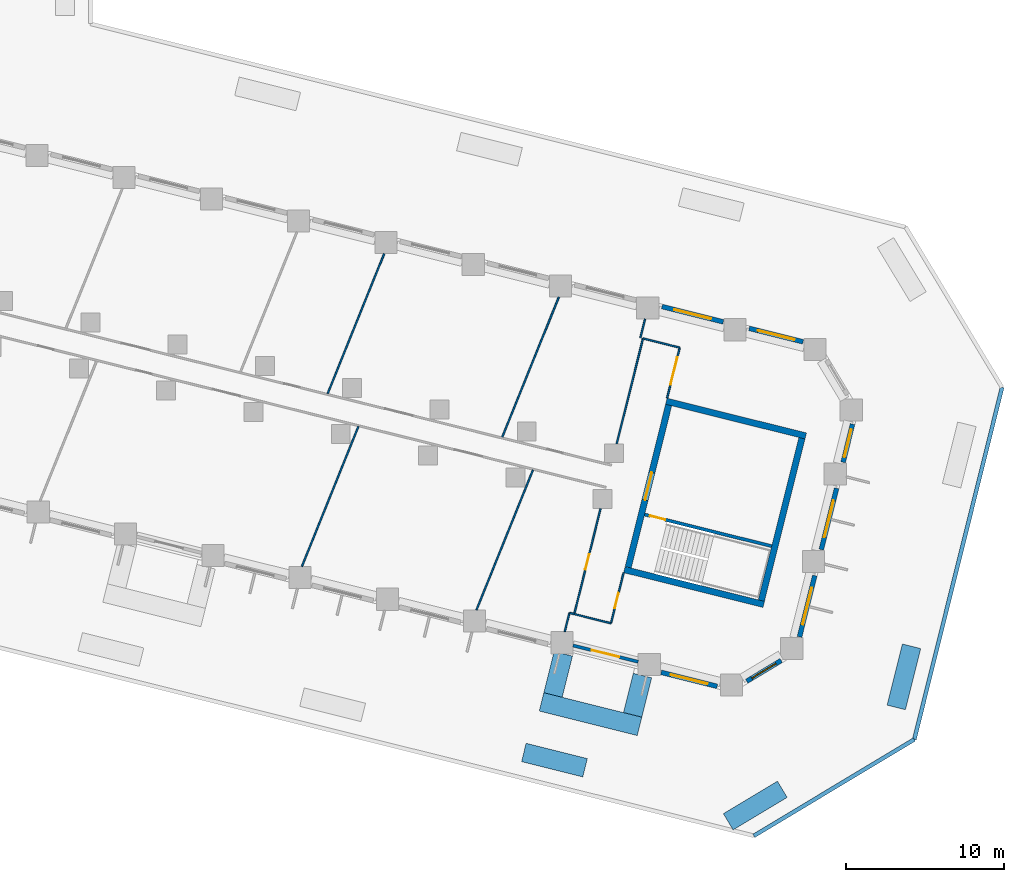
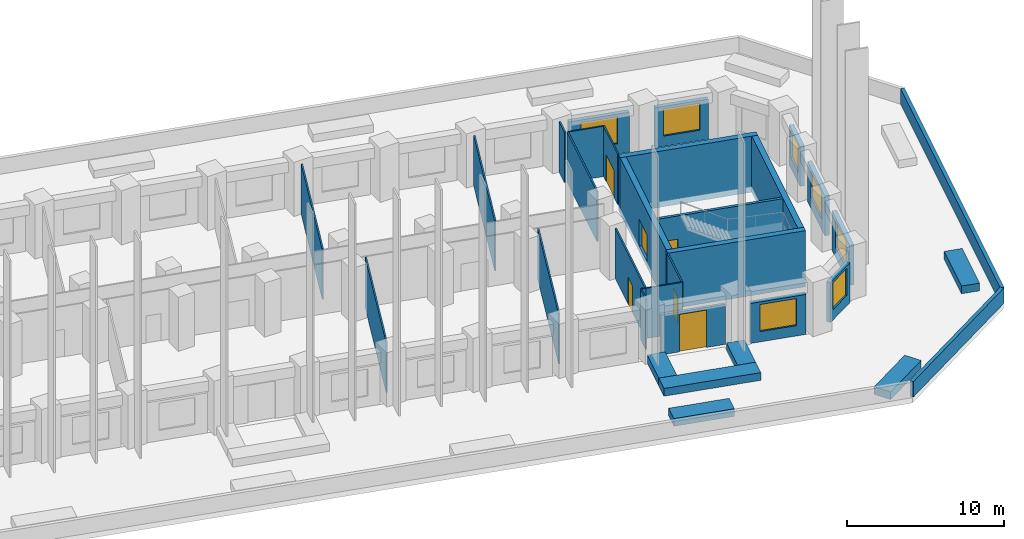
# One storey, part 7 of 13: 34 walls, 7 windows, 6 doors, 13 openings.
"""IFC4 building model written with IfcOpenShell, lengths in metres."""

from ifc_helpers import new_model, si_unit, direction, frame, frame_2d, origin, place, context, subcontext, project, spatial, rectangle, extrude, material, layer, layer_set, type_object, element, fill, save


model = new_model("IFC4")

# Units and contexts
model_context = context("Model", 3, precision=1e-05, world=origin(), true_north=direction((0.0, 1.0)))
body_context = subcontext(model_context, "Body", "Model", "MODEL_VIEW")
ifc_project = project(units=[si_unit("LENGTHUNIT", "METRE"), si_unit("AREAUNIT", "SQUARE_METRE"), si_unit("VOLUMEUNIT", "CUBIC_METRE"), si_unit("PLANEANGLEUNIT", "RADIAN"), si_unit("MASSUNIT", "GRAM", prefix="KILO")], contexts=[model_context])

# Site, building, storey
site_placement = place(None, origin())
site = spatial("IfcSite", under=ifc_project, at=site_placement, CompositionType="ELEMENT")
building_placement = place(site_placement, origin())
building = spatial("IfcBuilding", under=site, at=building_placement, Name="Meshkara Civic Tower", CompositionType="ELEMENT")
storey_placement = place(building_placement, frame((0.0, 0.0, 33.0)))
storey = spatial("IfcBuildingStorey", under=building, at=storey_placement, Name="L06", CompositionType="ELEMENT", Elevation=33.0)

# Wall
ifc_material_1 = material(Name="Corridor wall 100")
ifc_layer_1 = layer(ifc_material_1, 0.10009765625)
ifc_layer_set_1 = layer_set([ifc_layer_1], Name="Corridor wall 100")
wall_type_1 = type_object("IfcWallType", Name="Corridor wall 100", PredefinedType="PARTITIONING", material=ifc_layer_set_1)
wall_1_placement = place(storey_placement, frame((72.93603515625, -15.7109375, 0.0), z_axis=(0.0, 0.0, 1.0), x_axis=(0.970232217337, -0.242176473756, 0.0)))
element("IfcWall", 1, at=wall_1_placement, inside=storey, type_object=wall_type_1, Name="L06-W025", PredefinedType="PARTITIONING", context=body_context, shape_type="SweptSolid", body=[
    extrude(rectangle(XDim=2.3994140625, YDim=0.10009765625, at=frame_2d((1.19970703125, 0.0))), origin(), (0.0, 0.0, 1.0), 3.89990234375),
])

# Wall, opening, door
wall_2_placement = place(storey_placement, frame((74.60205078125, -9.029052734375, 0.0), z_axis=(0.0, 0.0, 1.0), x_axis=(-0.241926631527, -0.970294545465, 0.0)))
wall_2 = element("IfcWall", 2, at=wall_2_placement, inside=storey, type_object=wall_type_1, Name="L06-W026", PredefinedType="PARTITIONING", context=body_context, shape_type="SweptSolid", body=[
    extrude(rectangle(XDim=6.886474609375, YDim=0.10009765625, at=frame_2d((3.443359375, 0.0))), origin(), (0.0, 0.0, 1.0), 3.89990234375),
])
opening_1_placement = place(wall_2_placement, frame((2.97998046875, 0.0, 0.0)))
opening_1 = element("IfcOpeningElement", 3, at=opening_1_placement, cuts=wall_2, Name="Opening L06-D001", PredefinedType="OPENING", context=body_context, shape_type="SweptSolid", body=[
    extrude(rectangle(XDim=1.0, YDim=2.10009765625, at=frame_2d((0.5, 1.050048828125))), frame((0.0, 0.06005859375, 0.0), z_axis=(0.0, -1.0, 0.0), x_axis=(1.0, 0.0, 0.0)), (0.0, 0.0, 1.0), 0.1201171875),
])
ifc_material_2 = material(Name="Door 1000 x 2100")
door_type_1 = type_object("IfcDoorType", Name="Door 1000 x 2100", OperationType="SINGLE_SWING_LEFT", PredefinedType="DOOR", material=ifc_material_2)
door_1_placement = place(opening_1_placement, origin())
door_1 = element("IfcDoor", 4, at=door_1_placement, inside=storey, type_object=door_type_1, Name="L06-D001", OperationType="SINGLE_SWING_LEFT", OverallHeight=2.10009765625, OverallWidth=1.0, PredefinedType="DOOR", context=body_context, shape_type="SweptSolid", body=[
    extrude(rectangle(XDim=1.0, YDim=2.10009765625, at=frame_2d((0.5, 1.050048828125))), frame((0.0, 0.02490234375, 0.0), z_axis=(0.0, -1.0, 0.0), x_axis=(1.0, 0.0, 0.0)), (0.0, 0.0, 1.0), 0.050048828125),
])
fill(opening_1, door_1)

wall_3_placement = place(storey_placement, frame((75.263916015625, -16.2919921875, 0.0), z_axis=(0.0, 0.0, 1.0), x_axis=(0.242135244173, 0.970242507587, 0.0)))
wall_3 = element("IfcWall", 5, at=wall_3_placement, inside=storey, type_object=wall_type_1, Name="L06-W027", PredefinedType="PARTITIONING", context=body_context, shape_type="SweptSolid", body=[
    extrude(rectangle(XDim=3.300048828125, YDim=0.10009765625, at=frame_2d((1.64990234375, 0.0))), origin(), (0.0, 0.0, 1.0), 3.89990234375),
])
opening_2_placement = place(wall_3_placement, frame((0.97998046875, 0.0, 0.0)))
opening_2 = element("IfcOpeningElement", 6, at=opening_2_placement, cuts=wall_3, Name="Opening L06-D002", PredefinedType="OPENING", context=body_context, shape_type="SweptSolid", body=[
    extrude(rectangle(XDim=1.0, YDim=2.10009765625, at=frame_2d((0.5, 1.050048828125))), frame((0.0, 0.06005859375, 0.0), z_axis=(0.0, -1.0, 0.0), x_axis=(1.0, 0.0, 0.0)), (0.0, 0.0, 1.0), 0.1201171875),
])
door_2_placement = place(opening_2_placement, origin())
door_2 = element("IfcDoor", 7, at=door_2_placement, inside=storey, type_object=door_type_1, Name="L06-D002", OperationType="SINGLE_SWING_RIGHT", OverallHeight=2.10009765625, OverallWidth=1.0, PredefinedType="DOOR", context=body_context, shape_type="SweptSolid", body=[
    extrude(rectangle(XDim=1.0, YDim=2.10009765625, at=frame_2d((0.5, 1.050048828125))), frame((0.0, 0.02490234375, 0.0), z_axis=(0.0, -1.0, 0.0), x_axis=(1.0, 0.0, 0.0)), (0.0, 0.0, 1.0), 0.050048828125),
])
fill(opening_2, door_2)

# Wall
wall_4_placement = place(storey_placement, frame((77.2900390625, 1.75390625, 0.0), z_axis=(0.0, 0.0, 1.0), x_axis=(-0.241867218289, -0.970309357224, 0.0)))
element("IfcWall", 8, at=wall_4_placement, inside=storey, type_object=wall_type_1, Name="L06-W028", PredefinedType="PARTITIONING", context=body_context, shape_type="SweptSolid", body=[
    extrude(rectangle(XDim=6.8759765625, YDim=0.10009765625, at=frame_2d((3.43798828125, 0.0))), origin(), (0.0, 0.0, 1.0), 3.89990234375),
])

# Wall, opening, door
wall_5_placement = place(storey_placement, frame((78.821044921875, -2.029052734375, 0.0), z_axis=(0.0, 0.0, 1.0), x_axis=(0.241769629392, 0.970333677816, 0.0)))
wall_5 = element("IfcWall", 9, at=wall_5_placement, inside=storey, type_object=wall_type_1, Name="L06-W029", PredefinedType="PARTITIONING", context=body_context, shape_type="SweptSolid", body=[
    extrude(rectangle(XDim=3.300048828125, YDim=0.10009765625, at=frame_2d((1.64990234375, 0.0))), origin(), (0.0, 0.0, 1.0), 3.89990234375),
])
opening_3_placement = place(wall_5_placement, frame((0.8798828125, 0.0, 0.0)))
opening_3 = element("IfcOpeningElement", 10, at=opening_3_placement, cuts=wall_5, Name="Opening L06-D009", PredefinedType="OPENING", context=body_context, shape_type="SweptSolid", body=[
    extrude(rectangle(XDim=1.800048828125, YDim=2.10009765625, at=frame_2d((0.89990234375, 1.050048828125))), frame((0.0, 0.06005859375, 0.0), z_axis=(0.0, -1.0, 0.0), x_axis=(1.0, 0.0, 0.0)), (0.0, 0.0, 1.0), 0.1201171875),
])
ifc_material_3 = material(Name="Door pair 1800 x 2100")
door_type_2 = type_object("IfcDoorType", Name="Door pair 1800 x 2100", OperationType="SINGLE_SWING_LEFT", PredefinedType="DOOR", material=ifc_material_3)
door_3_placement = place(opening_3_placement, origin())
door_3 = element("IfcDoor", 11, at=door_3_placement, inside=storey, type_object=door_type_2, Name="L06-D009", OperationType="DOUBLE_DOOR_SINGLE_SWING", OverallHeight=2.10009765625, OverallWidth=1.800048828125, PredefinedType="DOOR", context=body_context, shape_type="SweptSolid", body=[
    extrude(rectangle(XDim=1.800048828125, YDim=2.10009765625, at=frame_2d((0.89990234375, 1.050048828125))), frame((0.0, 0.02490234375, 0.0), z_axis=(0.0, -1.0, 0.0), x_axis=(1.0, 0.0, 0.0)), (0.0, 0.0, 1.0), 0.050048828125),
])
fill(opening_3, door_3)

# Wall
wall_6_placement = place(storey_placement, frame((79.618896484375, 1.173095703125, 0.0), z_axis=(0.0, 0.0, 1.0), x_axis=(-0.970279961304, 0.241985116673, 0.0)))
element("IfcWall", 12, at=wall_6_placement, inside=storey, type_object=wall_type_1, Name="L06-W030", PredefinedType="PARTITIONING", context=body_context, shape_type="SweptSolid", body=[
    extrude(rectangle(XDim=2.400146484375, YDim=0.10009765625, at=frame_2d((1.2001953125, 0.0))), origin(), (0.0, 0.0, 1.0), 3.89990234375),
])

# Wall, opening, window
ifc_material_4 = material(Name="Insulated infill panel with bronze anodised aluminium cladding", Category="aluminium")
ifc_layer_2 = layer(ifc_material_4, 0.300048828125)
ifc_layer_set_2 = layer_set([ifc_layer_2], Name="EXTERNAL INFILL WALL 300")
wall_type_2 = type_object("IfcWallType", Name="EXTERNAL INFILL WALL 300", PredefinedType="SOLIDWALL", material=ifc_layer_set_2)
wall_7_placement = place(storey_placement, frame((87.43505859375, 1.54296875, 0.0), z_axis=(0.0, 0.0, 1.0), x_axis=(-0.970289298425, 0.241947674843, 0.0)))
wall_7 = element("IfcWall", 13, at=wall_7_placement, inside=storey, type_object=wall_type_2, Name="External wall", PredefinedType="SOLIDWALL", context=body_context, shape_type="SweptSolid", body=[
    extrude(rectangle(XDim=3.517578125, YDim=0.300048828125, at=frame_2d((1.7587890625, 0.0))), origin(), (0.0, 0.0, 1.0), 3.10009765625),
])
opening_4_placement = place(wall_7_placement, frame((0.55908203125, 0.0, 0.800048828125)))
opening_4 = element("IfcOpeningElement", 14, at=opening_4_placement, cuts=wall_7, Name="Opening W7", PredefinedType="OPENING", context=body_context, shape_type="SweptSolid", body=[
    extrude(rectangle(XDim=2.39990234375, YDim=2.10009765625, at=frame_2d((1.199951171875, 1.050048828125))), frame((0.0, 0.159912109375, 0.0), z_axis=(0.0, -1.0, 0.0), x_axis=(1.0, 0.0, 0.0)), (0.0, 0.0, 1.0), 0.320068359375),
])
ifc_material_5 = material(Name="Tinted double glazing", Category="glass")
window_type_1 = type_object("IfcWindowType", Name="WINDOW 2400x2100", PartitioningType="DOUBLE_PANEL_VERTICAL", PredefinedType="WINDOW", material=ifc_material_5)
window_1_placement = place(opening_4_placement, origin())
window_1 = element("IfcWindow", 15, at=window_1_placement, inside=storey, type_object=window_type_1, Name="Window", OverallHeight=2.10009765625, OverallWidth=2.39990234375, PartitioningType="DOUBLE_PANEL_VERTICAL", PredefinedType="WINDOW", context=body_context, shape_type="SweptSolid", body=[
    extrude(rectangle(XDim=2.39990234375, YDim=2.10009765625, at=frame_2d((1.199951171875, 1.050048828125))), frame((0.0, 0.030029296875, 0.0), z_axis=(0.0, -1.0, 0.0), x_axis=(1.0, 0.0, 0.0)), (0.0, 0.0, 1.0), 0.06005859375),
])
fill(opening_4, window_1)

wall_8_placement = place(storey_placement, frame((82.375, 2.804931640625, 0.0), z_axis=(0.0, 0.0, 1.0), x_axis=(-0.970318045095, 0.24183236211, 0.0)))
wall_8 = element("IfcWall", 16, at=wall_8_placement, inside=storey, type_object=wall_type_2, Name="External wall", PredefinedType="SOLIDWALL", context=body_context, shape_type="SweptSolid", body=[
    extrude(rectangle(XDim=4.0029296875, YDim=0.300048828125, at=frame_2d((2.00146484375, 0.0))), origin(), (0.0, 0.0, 1.0), 3.10009765625),
])
opening_5_placement = place(wall_8_placement, frame((0.802001953125, 0.0, 0.800048828125)))
opening_5 = element("IfcOpeningElement", 17, at=opening_5_placement, cuts=wall_8, Name="Opening W7", PredefinedType="OPENING", context=body_context, shape_type="SweptSolid", body=[
    extrude(rectangle(XDim=2.39990234375, YDim=2.10009765625, at=frame_2d((1.199951171875, 1.050048828125))), frame((0.0, 0.159912109375, 0.0), z_axis=(0.0, -1.0, 0.0), x_axis=(1.0, 0.0, 0.0)), (0.0, 0.0, 1.0), 0.320068359375),
])
window_2_placement = place(opening_5_placement, origin())
window_2 = element("IfcWindow", 18, at=window_2_placement, inside=storey, type_object=window_type_1, Name="Window", OverallHeight=2.10009765625, OverallWidth=2.39990234375, PartitioningType="DOUBLE_PANEL_VERTICAL", PredefinedType="WINDOW", context=body_context, shape_type="SweptSolid", body=[
    extrude(rectangle(XDim=2.39990234375, YDim=2.10009765625, at=frame_2d((1.199951171875, 1.050048828125))), frame((0.0, 0.030029296875, 0.0), z_axis=(0.0, -1.0, 0.0), x_axis=(1.0, 0.0, 0.0)), (0.0, 0.0, 1.0), 0.06005859375),
])
fill(opening_5, window_2)

wall_9_placement = place(storey_placement, frame((78.43994140625, -19.402099609375, 0.0), z_axis=(0.0, 0.0, 1.0), x_axis=(0.970271818873, -0.24201776278, 0.0)))
wall_9 = element("IfcWall", 19, at=wall_9_placement, inside=storey, type_object=wall_type_2, Name="External wall", PredefinedType="SOLIDWALL", context=body_context, shape_type="SweptSolid", body=[
    extrude(rectangle(XDim=3.660888671875, YDim=0.300048828125, at=frame_2d((1.83056640625, 0.0))), origin(), (0.0, 0.0, 1.0), 3.10009765625),
])
opening_6_placement = place(wall_9_placement, frame((0.6298828125, 0.0, 0.800048828125)))
opening_6 = element("IfcOpeningElement", 20, at=opening_6_placement, cuts=wall_9, Name="Opening W7", PredefinedType="OPENING", context=body_context, shape_type="SweptSolid", body=[
    extrude(rectangle(XDim=2.39990234375, YDim=2.10009765625, at=frame_2d((1.199951171875, 1.050048828125))), frame((0.0, 0.159912109375, 0.0), z_axis=(0.0, -1.0, 0.0), x_axis=(1.0, 0.0, 0.0)), (0.0, 0.0, 1.0), 0.320068359375),
])
window_3_placement = place(opening_6_placement, origin())
window_3 = element("IfcWindow", 21, at=window_3_placement, inside=storey, type_object=window_type_1, Name="Window", OverallHeight=2.10009765625, OverallWidth=2.39990234375, PartitioningType="DOUBLE_PANEL_VERTICAL", PredefinedType="WINDOW", context=body_context, shape_type="SweptSolid", body=[
    extrude(rectangle(XDim=2.39990234375, YDim=2.10009765625, at=frame_2d((1.199951171875, 1.050048828125))), frame((0.0, 0.030029296875, 0.0), z_axis=(0.0, -1.0, 0.0), x_axis=(1.0, 0.0, 0.0)), (0.0, 0.0, 1.0), 0.06005859375),
])
fill(opening_6, window_3)

wall_10_placement = place(storey_placement, frame((83.865966796875, -19.965087890625, 0.0), z_axis=(0.0, 0.0, 1.0), x_axis=(0.857026568426, 0.515272220299, 0.0)))
wall_10 = element("IfcWall", 22, at=wall_10_placement, inside=storey, type_object=wall_type_2, Name="External wall", PredefinedType="SOLIDWALL", context=body_context, shape_type="SweptSolid", body=[
    extrude(rectangle(XDim=2.54248046875, YDim=0.300048828125, at=frame_2d((1.271240234375, 0.0))), origin(), (0.0, 0.0, 1.0), 3.10009765625),
])
opening_7_placement = place(wall_10_placement, frame((0.37109375, 0.0, 0.800048828125)))
opening_7 = element("IfcOpeningElement", 23, at=opening_7_placement, cuts=wall_10, Name="Opening W9", PredefinedType="OPENING", context=body_context, shape_type="SweptSolid", body=[
    extrude(rectangle(XDim=1.800048828125, YDim=2.10009765625, at=frame_2d((0.89990234375, 1.050048828125))), frame((0.0, 0.159912109375, 0.0), z_axis=(0.0, -1.0, 0.0), x_axis=(1.0, 0.0, 0.0)), (0.0, 0.0, 1.0), 0.320068359375),
])
ifc_material_6 = material(Name="Tinted double glazing", Category="glass")
window_type_2 = type_object("IfcWindowType", Name="WINDOW 1800x2100", PartitioningType="DOUBLE_PANEL_VERTICAL", PredefinedType="WINDOW", material=ifc_material_6)
window_4_placement = place(opening_7_placement, origin())
window_4 = element("IfcWindow", 24, at=window_4_placement, inside=storey, type_object=window_type_2, Name="Window", OverallHeight=2.10009765625, OverallWidth=1.800048828125, PartitioningType="DOUBLE_PANEL_VERTICAL", PredefinedType="WINDOW", context=body_context, shape_type="SweptSolid", body=[
    extrude(rectangle(XDim=1.800048828125, YDim=2.10009765625, at=frame_2d((0.89990234375, 1.050048828125))), frame((0.0, 0.030029296875, 0.0), z_axis=(0.0, -1.0, 0.0), x_axis=(1.0, 0.0, 0.0)), (0.0, 0.0, 1.0), 0.06005859375),
])
fill(opening_7, window_4)

wall_11_placement = place(storey_placement, frame((87.2109375, -17.152099609375, 0.0), z_axis=(0.0, 0.0, 1.0), x_axis=(0.24183236211, 0.970318045095, 0.0)))
wall_11 = element("IfcWall", 25, at=wall_11_placement, inside=storey, type_object=wall_type_2, Name="External wall", PredefinedType="SOLIDWALL", context=body_context, shape_type="SweptSolid", body=[
    extrude(rectangle(XDim=4.0029296875, YDim=0.300048828125, at=frame_2d((2.00146484375, 0.0))), origin(), (0.0, 0.0, 1.0), 3.10009765625),
])
opening_8_placement = place(wall_11_placement, frame((0.802001953125, 0.0, 0.800048828125)))
opening_8 = element("IfcOpeningElement", 26, at=opening_8_placement, cuts=wall_11, Name="Opening W7", PredefinedType="OPENING", context=body_context, shape_type="SweptSolid", body=[
    extrude(rectangle(XDim=2.39990234375, YDim=2.10009765625, at=frame_2d((1.199951171875, 1.050048828125))), frame((0.0, 0.159912109375, 0.0), z_axis=(0.0, -1.0, 0.0), x_axis=(1.0, 0.0, 0.0)), (0.0, 0.0, 1.0), 0.320068359375),
])
window_5_placement = place(opening_8_placement, origin())
window_5 = element("IfcWindow", 27, at=window_5_placement, inside=storey, type_object=window_type_1, Name="Window", OverallHeight=2.10009765625, OverallWidth=2.39990234375, PartitioningType="DOUBLE_PANEL_VERTICAL", PredefinedType="WINDOW", context=body_context, shape_type="SweptSolid", body=[
    extrude(rectangle(XDim=2.39990234375, YDim=2.10009765625, at=frame_2d((1.199951171875, 1.050048828125))), frame((0.0, 0.030029296875, 0.0), z_axis=(0.0, -1.0, 0.0), x_axis=(1.0, 0.0, 0.0)), (0.0, 0.0, 1.0), 0.06005859375),
])
fill(opening_8, window_5)

wall_12_placement = place(storey_placement, frame((88.590087890625, -11.62109375, 0.0), z_axis=(0.0, 0.0, 1.0), x_axis=(0.241889623168, 0.970303772127, 0.0)))
wall_12 = element("IfcWall", 28, at=wall_12_placement, inside=storey, type_object=wall_type_2, Name="External wall", PredefinedType="SOLIDWALL", context=body_context, shape_type="SweptSolid", body=[
    extrude(rectangle(XDim=4.001953125, YDim=0.300048828125, at=frame_2d((2.0009765625, 0.0))), origin(), (0.0, 0.0, 1.0), 3.10009765625),
])
opening_9_placement = place(wall_12_placement, frame((0.801025390625, 0.0, 0.800048828125)))
opening_9 = element("IfcOpeningElement", 29, at=opening_9_placement, cuts=wall_12, Name="Opening W7", PredefinedType="OPENING", context=body_context, shape_type="SweptSolid", body=[
    extrude(rectangle(XDim=2.39990234375, YDim=2.10009765625, at=frame_2d((1.199951171875, 1.050048828125))), frame((0.0, 0.159912109375, 0.0), z_axis=(0.0, -1.0, 0.0), x_axis=(1.0, 0.0, 0.0)), (0.0, 0.0, 1.0), 0.320068359375),
])
window_6_placement = place(opening_9_placement, origin())
window_6 = element("IfcWindow", 30, at=window_6_placement, inside=storey, type_object=window_type_1, Name="Window", OverallHeight=2.10009765625, OverallWidth=2.39990234375, PartitioningType="DOUBLE_PANEL_VERTICAL", PredefinedType="WINDOW", context=body_context, shape_type="SweptSolid", body=[
    extrude(rectangle(XDim=2.39990234375, YDim=2.10009765625, at=frame_2d((1.199951171875, 1.050048828125))), frame((0.0, 0.030029296875, 0.0), z_axis=(0.0, -1.0, 0.0), x_axis=(1.0, 0.0, 0.0)), (0.0, 0.0, 1.0), 0.06005859375),
])
fill(opening_9, window_6)

wall_13_placement = place(storey_placement, frame((89.968994140625, -6.091064453125, 0.0), z_axis=(0.0, 0.0, 1.0), x_axis=(0.241797277733, 0.9703267885, 0.0)))
wall_13 = element("IfcWall", 31, at=wall_13_placement, inside=storey, type_object=wall_type_2, Name="External wall", PredefinedType="SOLIDWALL", context=body_context, shape_type="SweptSolid", body=[
    extrude(rectangle(XDim=2.489990234375, YDim=0.300048828125, at=frame_2d((1.2451171875, 0.0))), origin(), (0.0, 0.0, 1.0), 3.10009765625),
])
opening_10_placement = place(wall_13_placement, frame((0.344970703125, 0.0, 0.800048828125)))
opening_10 = element("IfcOpeningElement", 32, at=opening_10_placement, cuts=wall_13, Name="Opening W9", PredefinedType="OPENING", context=body_context, shape_type="SweptSolid", body=[
    extrude(rectangle(XDim=1.800048828125, YDim=2.10009765625, at=frame_2d((0.89990234375, 1.050048828125))), frame((0.0, 0.159912109375, 0.0), z_axis=(0.0, -1.0, 0.0), x_axis=(1.0, 0.0, 0.0)), (0.0, 0.0, 1.0), 0.320068359375),
])
window_7_placement = place(opening_10_placement, origin())
window_7 = element("IfcWindow", 33, at=window_7_placement, inside=storey, type_object=window_type_2, Name="Window", OverallHeight=2.10009765625, OverallWidth=1.800048828125, PartitioningType="DOUBLE_PANEL_VERTICAL", PredefinedType="WINDOW", context=body_context, shape_type="SweptSolid", body=[
    extrude(rectangle(XDim=1.800048828125, YDim=2.10009765625, at=frame_2d((0.89990234375, 1.050048828125))), frame((0.0, 0.030029296875, 0.0), z_axis=(0.0, -1.0, 0.0), x_axis=(1.0, 0.0, 0.0)), (0.0, 0.0, 1.0), 0.06005859375),
])
fill(opening_10, window_7)

# Walls
ifc_material_7 = material(Name="Concrete C80", Category="concrete")
ifc_layer_3 = layer(ifc_material_7, 0.39990234375)
ifc_layer_set_3 = layer_set([ifc_layer_3], Name="End core ring wall 400 C80")
wall_type_3 = type_object("IfcWallType", Name="End core ring wall 400 C80", PredefinedType="SHEAR", material=ifc_layer_set_3)
wall_14_placement = place(storey_placement, frame((76.111083984375, -12.89599609375, -0.449951171875), z_axis=(0.0, 0.0, 1.0), x_axis=(0.970311127573, -0.241860115992, 0.0)))
element("IfcWall", 34, at=wall_14_placement, inside=storey, type_object=wall_type_3, Name="L06-C031", PredefinedType="SHEAR", context=body_context, shape_type="SweptSolid", body=[
    extrude(rectangle(XDim=9.10009765625, YDim=0.39990234375, at=frame_2d((4.550048828125, 0.0))), origin(), (0.0, 0.0, 1.0), 4.349853515625),
])
wall_15_placement = place(storey_placement, frame((78.77197265625, -2.222900390625, -0.449951171875), z_axis=(0.0, 0.0, 1.0), x_axis=(0.970306400786, -0.241879078453, 0.0)))
element("IfcWall", 35, at=wall_15_placement, inside=storey, type_object=wall_type_3, Name="L06-C032", PredefinedType="SHEAR", context=body_context, shape_type="SweptSolid", body=[
    extrude(rectangle(XDim=9.100341796875, YDim=0.39990234375, at=frame_2d((4.55029296875, 0.0))), origin(), (0.0, 0.0, 1.0), 4.349853515625),
])

# Wall, opening, door
wall_16_placement = place(storey_placement, frame((76.35302734375, -12.75, -0.449951171875), z_axis=(0.0, 0.0, 1.0), x_axis=(0.241977390218, 0.970281888228, 0.0)))
wall_16 = element("IfcWall", 36, at=wall_16_placement, inside=storey, type_object=wall_type_3, Name="L06-C033", PredefinedType="SHEAR", context=body_context, shape_type="SweptSolid", body=[
    extrude(rectangle(XDim=10.599853515625, YDim=0.39990234375, at=frame_2d((5.2998046875, 0.0))), origin(), (0.0, 0.0, 1.0), 4.349853515625),
])
opening_11_placement = place(wall_16_placement, frame((4.39990234375, 0.0, 0.449951171875)))
opening_11 = element("IfcOpeningElement", 37, at=opening_11_placement, cuts=wall_16, Name="Opening L06-K202", PredefinedType="OPENING", context=body_context, shape_type="SweptSolid", body=[
    extrude(rectangle(XDim=1.800048828125, YDim=2.10009765625, at=frame_2d((0.89990234375, 1.050048828125))), frame((0.0, 0.2099609375, 0.0), z_axis=(0.0, -1.0, 0.0), x_axis=(1.0, 0.0, 0.0)), (0.0, 0.0, 1.0), 0.419921875),
])
ifc_material_8 = material(Name="Fire-rated door leaf in steel frame", Category="steel")
door_type_3 = type_object("IfcDoorType", Name="Core double door 1800 EI 60", OperationType="DOUBLE_DOOR_SINGLE_SWING", PredefinedType="DOOR", material=ifc_material_8)
door_4_placement = place(opening_11_placement, origin())
door_4 = element("IfcDoor", 38, at=door_4_placement, inside=storey, type_object=door_type_3, Name="L06-K202", OperationType="DOUBLE_DOOR_SINGLE_SWING", OverallHeight=2.10009765625, OverallWidth=1.800048828125, PredefinedType="DOOR", context=body_context, shape_type="SweptSolid", body=[
    extrude(rectangle(XDim=1.800048828125, YDim=2.10009765625, at=frame_2d((0.89990234375, 1.050048828125))), frame((0.0, 0.02490234375, 0.0), z_axis=(0.0, -1.0, 0.0), x_axis=(1.0, 0.0, 0.0)), (0.0, 0.0, 1.0), 0.050048828125),
])
fill(opening_11, door_4)

# Wall
wall_17_placement = place(storey_placement, frame((84.794921875, -14.85498046875, -0.449951171875), z_axis=(0.0, 0.0, 1.0), x_axis=(0.241890652548, 0.970303515509, 0.0)))
element("IfcWall", 39, at=wall_17_placement, inside=storey, type_object=wall_type_3, Name="L06-C034", PredefinedType="SHEAR", context=body_context, shape_type="SweptSolid", body=[
    extrude(rectangle(XDim=10.599609375, YDim=0.39990234375, at=frame_2d((5.2998046875, 0.0))), origin(), (0.0, 0.0, 1.0), 4.349853515625),
])

# Wall, opening, door
ifc_material_9 = material(Name="Insulated infill panel with bronze anodised aluminium cladding", Category="aluminium")
ifc_layer_4 = layer(ifc_material_9, 0.199951171875)
ifc_layer_set_4 = layer_set([ifc_layer_4], Name="LOGGIA BACK WALL 200")
wall_type_4 = type_object("IfcWallType", Name="LOGGIA BACK WALL 200", PredefinedType="SOLIDWALL", material=ifc_layer_set_4)
wall_18_placement = place(storey_placement, frame((72.85791015625, -17.701904296875, 0.0), z_axis=(0.0, 0.0, 1.0), x_axis=(0.970347921137, -0.241712457159, 0.0)))
wall_18 = element("IfcWall", 40, at=wall_18_placement, inside=storey, type_object=wall_type_4, Name="Loggia wall", PredefinedType="SOLIDWALL", context=body_context, shape_type="SweptSolid", body=[
    extrude(rectangle(XDim=4.25732421875, YDim=0.199951171875, at=frame_2d((2.128662109375, 0.0))), origin(), (0.0, 0.0, 1.0), 3.10009765625),
])
opening_12_placement = place(wall_18_placement, frame((1.22802734375, 0.0, 0.0)))
opening_12 = element("IfcOpeningElement", 41, at=opening_12_placement, cuts=wall_18, Name="Opening L06-L006", PredefinedType="OPENING", context=body_context, shape_type="SweptSolid", body=[
    extrude(rectangle(XDim=1.800048828125, YDim=2.89990234375, at=frame_2d((0.89990234375, 1.449951171875))), frame((0.0, 0.10986328125, 0.0), z_axis=(0.0, -1.0, 0.0), x_axis=(1.0, 0.0, 0.0)), (0.0, 0.0, 1.0), 0.219970703125),
])
ifc_material_10 = material(Name="Tinted double glazing", Category="glass")
door_type_4 = type_object("IfcDoorType", Name="LOGGIA DOOR 1800x2900", OperationType="DOUBLE_DOOR_SINGLE_SWING", PredefinedType="DOOR", material=ifc_material_10)
door_5_placement = place(opening_12_placement, origin())
door_5 = element("IfcDoor", 42, at=door_5_placement, inside=storey, type_object=door_type_4, Name="L06-L006", OperationType="DOUBLE_DOOR_SINGLE_SWING", OverallHeight=2.89990234375, OverallWidth=1.800048828125, PredefinedType="DOOR", context=body_context, shape_type="SweptSolid", body=[
    extrude(rectangle(XDim=1.800048828125, YDim=2.89990234375, at=frame_2d((0.89990234375, 1.449951171875))), frame((0.0, 0.02490234375, 0.0), z_axis=(0.0, -1.0, 0.0), x_axis=(1.0, 0.0, 0.0)), (0.0, 0.0, 1.0), 0.050048828125),
])
fill(opening_12, door_5)

# Walls
ifc_material_11 = material(Name="Concrete C40", Category="concrete")
ifc_layer_5 = layer(ifc_material_11, 1.199951171875)
ifc_layer_set_5 = layer_set([ifc_layer_5], Name="PLANTING BED")
wall_type_5 = type_object("IfcWallType", Name="PLANTING BED", PredefinedType="SOLIDWALL", material=ifc_layer_set_5)
wall_19_placement = place(storey_placement, frame((94.30810546875, -17.7470703125, 0.0), z_axis=(0.0, 0.0, 1.0), x_axis=(-0.242018556661, -0.970271620853, 0.0)))
element("IfcWall", 43, at=wall_19_placement, inside=storey, type_object=wall_type_5, Name="Planting bed", PredefinedType="SOLIDWALL", context=body_context, shape_type="SweptSolid", body=[
    extrude(rectangle(XDim=3.999755859375, YDim=1.199951171875, at=frame_2d((2.0, 0.0))), origin(), (0.0, 0.0, 1.0), 0.60009765625),
])
wall_20_placement = place(storey_placement, frame((86.118896484375, -26.81298828125, 0.0), z_axis=(0.0, 0.0, 1.0), x_axis=(-0.857196598171, -0.514989312593, 0.0)))
element("IfcWall", 44, at=wall_20_placement, inside=storey, type_object=wall_type_5, Name="Planting bed", PredefinedType="SOLIDWALL", context=body_context, shape_type="SweptSolid", body=[
    extrude(rectangle(XDim=4.000244140625, YDim=1.199951171875, at=frame_2d((2.0, 0.0))), origin(), (0.0, 0.0, 1.0), 0.60009765625),
])
wall_21_placement = place(storey_placement, frame((73.62109375, -25.446044921875, 0.0), z_axis=(0.0, 0.0, 1.0), x_axis=(-0.970332498704, 0.241774361664, 0.0)))
element("IfcWall", 45, at=wall_21_placement, inside=storey, type_object=wall_type_5, Name="Planting bed", PredefinedType="SOLIDWALL", context=body_context, shape_type="SweptSolid", body=[
    extrude(rectangle(XDim=3.999755859375, YDim=1.199951171875, at=frame_2d((2.0, 0.0))), origin(), (0.0, 0.0, 1.0), 0.60009765625),
])
wall_22_placement = place(storey_placement, frame((70.861083984375, -21.27490234375, 0.0), z_axis=(0.0, 0.0, 1.0), x_axis=(0.970294822452, -0.241925520609, 0.0)))
element("IfcWall", 46, at=wall_22_placement, inside=storey, type_object=wall_type_5, Name="Planting bed", PredefinedType="SOLIDWALL", context=body_context, shape_type="SweptSolid", body=[
    extrude(rectangle(XDim=6.403076171875, YDim=1.199951171875, at=frame_2d((3.20166015625, 0.0))), origin(), (0.0, 0.0, 1.0), 0.60009765625),
])
wall_23_placement = place(storey_placement, frame((72.239990234375, -18.22705078125, 0.0), z_axis=(0.0, 0.0, 1.0), x_axis=(-0.241895101502, -0.970302406402, 0.0)))
element("IfcWall", 47, at=wall_23_placement, inside=storey, type_object=wall_type_5, Name="Planting bed", PredefinedType="SOLIDWALL", context=body_context, shape_type="SweptSolid", body=[
    extrude(rectangle(XDim=2.690673828125, YDim=1.199951171875, at=frame_2d((1.34521484375, 0.0))), origin(), (0.0, 0.0, 1.0), 0.60009765625),
])
wall_24_placement = place(storey_placement, frame((77.258056640625, -19.60595703125, 0.0), z_axis=(0.0, 0.0, 1.0), x_axis=(-0.242020748374, -0.970271074162, 0.0)))
element("IfcWall", 48, at=wall_24_placement, inside=storey, type_object=wall_type_5, Name="Planting bed", PredefinedType="SOLIDWALL", context=body_context, shape_type="SweptSolid", body=[
    extrude(rectangle(XDim=2.566162109375, YDim=1.199951171875, at=frame_2d((1.283203125, 0.0))), origin(), (0.0, 0.0, 1.0), 0.60009765625),
])
ifc_material_12 = material(Name="Partition 100")
ifc_layer_6 = layer(ifc_material_12, 0.10009765625)
ifc_layer_set_6 = layer_set([ifc_layer_6], Name="Partition 100")
wall_type_6 = type_object("IfcWallType", Name="Partition 100", PredefinedType="PARTITIONING", material=ifc_layer_set_6)
wall_25_placement = place(storey_placement, frame((55.676025390625, -12.68994140625, 0.0), z_axis=(0.0, 0.0, 1.0), x_axis=(0.374612570435, 0.927181439672, 0.0)))
element("IfcWall", 49, at=wall_25_placement, inside=storey, type_object=wall_type_6, Name="L06-W051", PredefinedType="PARTITIONING", context=body_context, shape_type="SweptSolid", body=[
    extrude(rectangle(XDim=9.556640625, YDim=0.10009765625, at=frame_2d((4.7783203125, 0.0))), origin(), (0.0, 0.0, 1.0), 3.89990234375),
])
wall_26_placement = place(storey_placement, frame((57.31298828125, -1.738037109375, 0.0), z_axis=(0.0, 0.0, 1.0), x_axis=(0.374568209597, 0.927199361712, 0.0)))
element("IfcWall", 50, at=wall_26_placement, inside=storey, type_object=wall_type_6, Name="L06-W052", PredefinedType="PARTITIONING", context=body_context, shape_type="SweptSolid", body=[
    extrude(rectangle(XDim=9.557861328125, YDim=0.10009765625, at=frame_2d((4.77880859375, 0.0))), origin(), (0.0, 0.0, 1.0), 3.89990234375),
])
wall_27_placement = place(storey_placement, frame((66.738037109375, -15.447998046875, 0.0), z_axis=(0.0, 0.0, 1.0), x_axis=(0.374603697495, 0.92718502459, 0.0)))
element("IfcWall", 51, at=wall_27_placement, inside=storey, type_object=wall_type_6, Name="L06-W053", PredefinedType="PARTITIONING", context=body_context, shape_type="SweptSolid", body=[
    extrude(rectangle(XDim=9.556884765625, YDim=0.10009765625, at=frame_2d((4.7783203125, 0.0))), origin(), (0.0, 0.0, 1.0), 3.89990234375),
])
wall_28_placement = place(storey_placement, frame((68.375, -4.49609375, 0.0), z_axis=(0.0, 0.0, 1.0), x_axis=(0.374568209597, 0.927199361712, 0.0)))
element("IfcWall", 52, at=wall_28_placement, inside=storey, type_object=wall_type_6, Name="L06-W054", PredefinedType="PARTITIONING", context=body_context, shape_type="SweptSolid", body=[
    extrude(rectangle(XDim=9.557861328125, YDim=0.10009765625, at=frame_2d((4.77880859375, 0.0))), origin(), (0.0, 0.0, 1.0), 3.89990234375),
])
wall_29_placement = place(storey_placement, frame((72.3330078125, -16.826904296875, 0.0), z_axis=(0.0, 0.0, 1.0), x_axis=(0.241693721233, 0.97035258804, 0.0)))
element("IfcWall", 53, at=wall_29_placement, inside=storey, type_object=wall_type_6, Name="L06-W055", PredefinedType="PARTITIONING", context=body_context, shape_type="SweptSolid", body=[
    extrude(rectangle(XDim=1.228271484375, YDim=0.10009765625, at=frame_2d((0.6142578125, 0.0))), origin(), (0.0, 0.0, 1.0), 3.89990234375),
])
wall_30_placement = place(storey_placement, frame((72.6298828125, -15.635009765625, 0.0), z_axis=(0.0, 0.0, 1.0), x_axis=(0.970590389113, -0.240736986276, 0.0)))
element("IfcWall", 54, at=wall_30_placement, inside=storey, type_object=wall_type_6, Name="L06-W056", PredefinedType="PARTITIONING", context=body_context, shape_type="SweptSolid", body=[
    extrude(rectangle(XDim=0.3193359375, YDim=0.10009765625, at=frame_2d((0.15966796875, 0.0))), origin(), (0.0, 0.0, 1.0), 3.89990234375),
])
wall_31_placement = place(storey_placement, frame((77.1240234375, 1.794921875, 0.0), z_axis=(0.0, 0.0, 1.0), x_axis=(0.241647114831, 0.970364195493, 0.0)))
element("IfcWall", 55, at=wall_31_placement, inside=storey, type_object=wall_type_6, Name="L06-W057", PredefinedType="PARTITIONING", context=body_context, shape_type="SweptSolid", body=[
    extrude(rectangle(XDim=1.228515625, YDim=0.10009765625, at=frame_2d((0.6142578125, 0.0))), origin(), (0.0, 0.0, 1.0), 3.89990234375),
])
ifc_material_13 = material(Name="Concrete C40", Category="concrete")
ifc_layer_7 = layer(ifc_material_13, 0.25)
ifc_layer_set_7 = layer_set([ifc_layer_7], Name="ROOF PARAPET 250")
wall_type_7 = type_object("IfcWallType", Name="ROOF PARAPET 250", PredefinedType="PARAPET", material=ifc_layer_set_7)
wall_32_placement = place(storey_placement, frame((100.044921875, -1.35009765625, 0.0), z_axis=(0.0, 0.0, 1.0), x_axis=(-0.241933284838, -0.970292886549, 0.0)))
element("IfcWall", 56, at=wall_32_placement, inside=storey, type_object=wall_type_7, Name="Roof parapet", PredefinedType="PARAPET", context=body_context, shape_type="SweptSolid", body=[
    extrude(rectangle(XDim=22.98583984375, YDim=0.25, at=frame_2d((11.492919921875, 0.0))), origin(), (0.0, 0.0, 1.0), 1.199951171875),
])
wall_33_placement = place(storey_placement, frame((94.48388671875, -23.653076171875, 0.0), z_axis=(0.0, 0.0, 1.0), x_axis=(-0.857169478104, -0.515034451088, 0.0)))
element("IfcWall", 57, at=wall_33_placement, inside=storey, type_object=wall_type_7, Name="Roof parapet", PredefinedType="PARAPET", context=body_context, shape_type="SweptSolid", body=[
    extrude(rectangle(XDim=11.861083984375, YDim=0.25, at=frame_2d((5.9306640625, 0.0))), origin(), (0.0, 0.0, 1.0), 1.199951171875),
])

# Wall, opening, door
ifc_material_14 = material(Name="Concrete C40/50", Category="concrete")
ifc_layer_8 = layer(ifc_material_14, 0.199951171875)
ifc_layer_set_8 = layer_set([ifc_layer_8], Name="Stair enclosure wall 200 C40/50")
wall_type_8 = type_object("IfcWallType", Name="Stair enclosure wall 200 C40/50", PredefinedType="SOLIDWALL", material=ifc_layer_set_8)
wall_34_placement = place(storey_placement, frame((77.39404296875, -9.403076171875, 0.0), z_axis=(0.0, 0.0, 1.0), x_axis=(0.970303192681, -0.241891947516, 0.0)))
wall_34 = element("IfcWall", 58, at=wall_34_placement, inside=storey, type_object=wall_type_8, Name="L06-C035", PredefinedType="SOLIDWALL", context=body_context, shape_type="SweptSolid", body=[
    extrude(rectangle(XDim=8.300537109375, YDim=0.199951171875, at=frame_2d((4.150390625, 0.0))), origin(), (0.0, 0.0, 1.0), 3.89990234375),
])
opening_13_placement = place(wall_34_placement, frame((0.35009765625, 0.0, 0.0)))
opening_13 = element("IfcOpeningElement", 59, at=opening_13_placement, cuts=wall_34, Name="Opening L06-K201", PredefinedType="OPENING", context=body_context, shape_type="SweptSolid", body=[
    extrude(rectangle(XDim=1.0, YDim=2.10009765625, at=frame_2d((0.5, 1.050048828125))), frame((0.0, 0.10986328125, 0.0), z_axis=(0.0, -1.0, 0.0), x_axis=(1.0, 0.0, 0.0)), (0.0, 0.0, 1.0), 0.219970703125),
])
ifc_material_15 = material(Name="Fire-rated door leaf in steel frame", Category="steel")
door_type_5 = type_object("IfcDoorType", Name="Stair door 1000 EI 120", OperationType="SINGLE_SWING_LEFT", PredefinedType="DOOR", material=ifc_material_15)
door_6_placement = place(opening_13_placement, origin())
door_6 = element("IfcDoor", 60, at=door_6_placement, inside=storey, type_object=door_type_5, Name="L06-K201", OperationType="SINGLE_SWING_LEFT", OverallHeight=2.10009765625, OverallWidth=1.0, PredefinedType="DOOR", context=body_context, shape_type="SweptSolid", body=[
    extrude(rectangle(XDim=1.0, YDim=2.10009765625, at=frame_2d((0.5, 1.050048828125))), frame((0.0, 0.02490234375, 0.0), z_axis=(0.0, -1.0, 0.0), x_axis=(1.0, 0.0, 0.0)), (0.0, 0.0, 1.0), 0.050048828125),
])
fill(opening_13, door_6)

save(model, "model.ifc")
